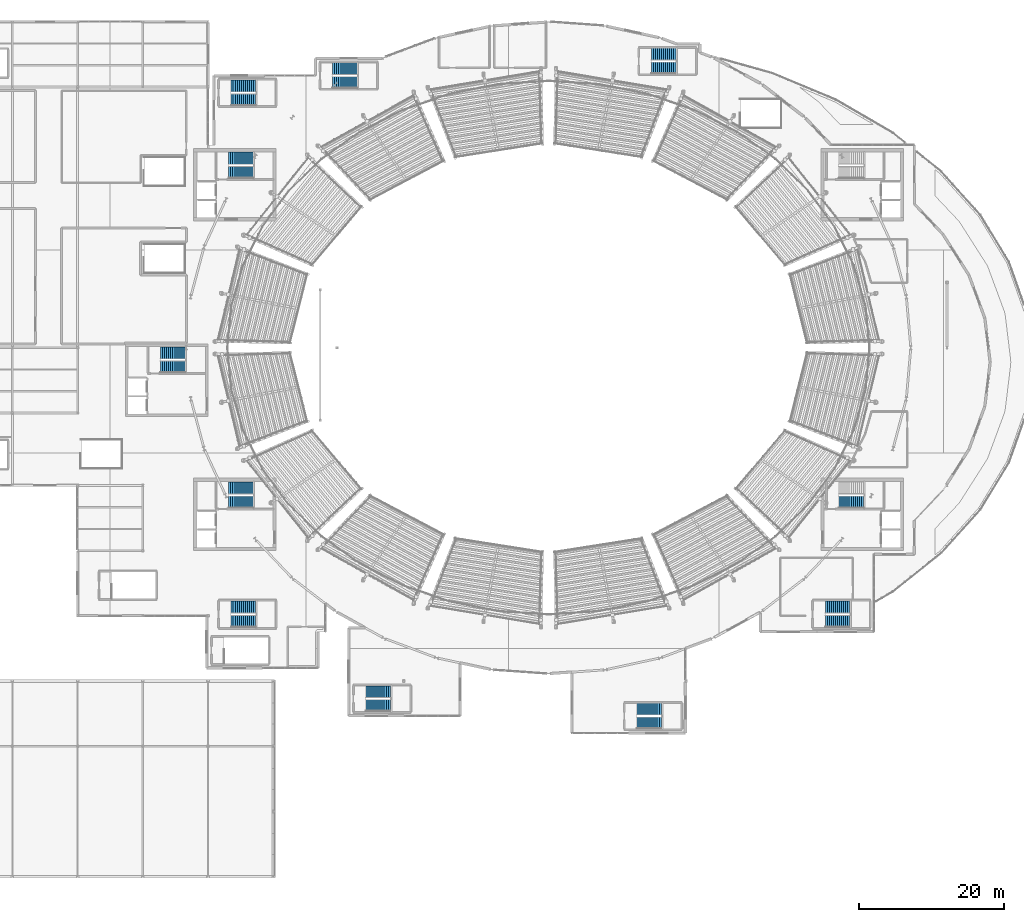
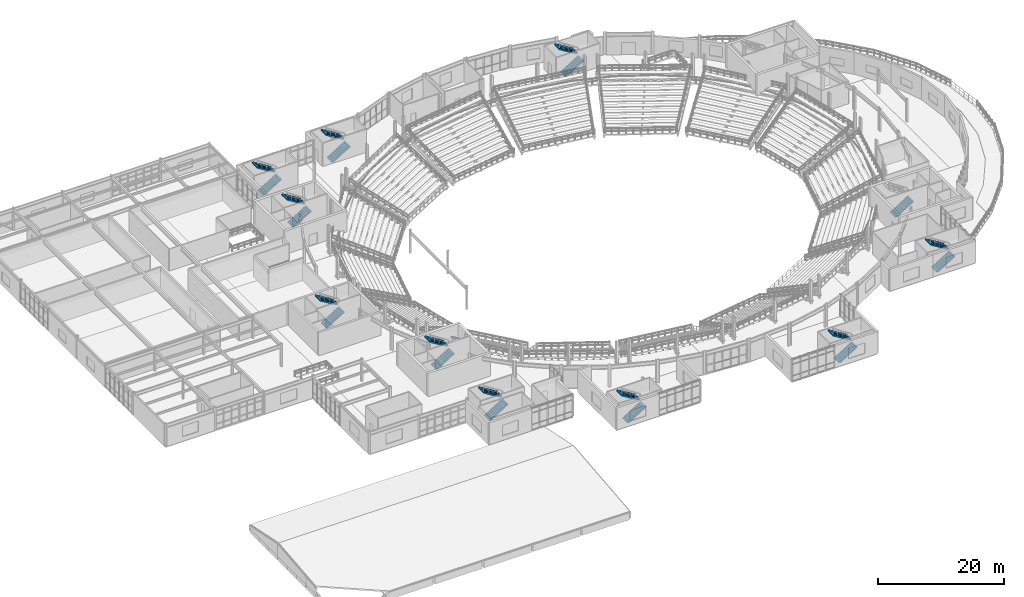
# One storey, part 61 of 81: 21 stair flights, 11 elements without a shape of their own.
"""IFC4 building model written with IfcOpenShell, lengths in metres."""

from ifc_helpers import new_model, si_unit, direction, frame, origin, place, context, subcontext, project, spatial, polyline, outline, extrude, material, type_object, element, aggregate, save


model = new_model("IFC4")

# Units and contexts
model_context = context("Model", 3, precision=1e-05, world=origin(), true_north=direction((0.0, 1.0)))
body_context = subcontext(model_context, "Body", "Model", "MODEL_VIEW")
ifc_project = project(units=[si_unit("LENGTHUNIT", "METRE"), si_unit("AREAUNIT", "SQUARE_METRE"), si_unit("VOLUMEUNIT", "CUBIC_METRE"), si_unit("PLANEANGLEUNIT", "RADIAN"), si_unit("MASSUNIT", "GRAM", prefix="KILO")], contexts=[model_context])

# Site, building, storey
site_placement = place(None, origin())
site = spatial("IfcSite", under=ifc_project, at=site_placement, CompositionType="ELEMENT")
building_placement = place(site_placement, origin())
building = spatial("IfcBuilding", under=site, at=building_placement, Name="Glasvene Arena", CompositionType="ELEMENT")
storey_placement = place(building_placement, frame((0.0, 0.0, 15.0)))
storey = spatial("IfcBuildingStorey", under=building, at=storey_placement, Name="L03", CompositionType="ELEMENT", Elevation=15.0)

# Stair, stair flights
ifc_material = material(Name="Concrete C40/50", Category="concrete")
stair_type_1 = type_object("IfcStairType", Name="ST-HT-450-165", PredefinedType="HALF_TURN_STAIR", material=ifc_material)
stair_1_placement = place(storey_placement, origin())
stair_1 = element("IfcStair", 1, at=stair_1_placement, inside=storey, type_object=stair_type_1, Name="Protected escape stair ST-07 (L03 to L04)", PredefinedType="HALF_TURN_STAIR")
stair_flight_type_1 = type_object("IfcStairFlightType", Name="SF-HT-450-165", PredefinedType="STRAIGHT", material=ifc_material)
stair_flight_1_placement = place(storey_placement, frame((38.449951171875, 70.375, 0.0), z_axis=(0.0, 0.0, 1.0), x_axis=(1.0, 0.0, 0.0)))
stair_flight_1 = element("IfcStairFlight", 2, at=stair_flight_1_placement, type_object=stair_flight_type_1, Name="Protected escape stair ST-07 (L03 to L04) flight 1", NumberOfRisers=13, NumberOfTreads=12, PredefinedType="STRAIGHT", RiserHeight=0.173077, TreadLength=0.28, context=body_context, shape_type="SweptSolid", body=[
    extrude(outline(polyline([(0.0, 0.0), (0.0, 0.173095703125), (0.280029296875, 0.173095703125), (0.280029296875, 0.34619140625), (0.56005859375, 0.34619140625), (0.56005859375, 0.519287109375), (0.840087890625, 0.519287109375), (0.840087890625, 0.6923828125), (1.1201171875, 0.6923828125), (1.1201171875, 0.865478515625), (1.39990234375, 0.865478515625), (1.39990234375, 1.03857421875), (1.679931640625, 1.03857421875), (1.679931640625, 1.21142578125), (1.9599609375, 1.21142578125), (1.9599609375, 1.384521484375), (2.239990234375, 1.384521484375), (2.239990234375, 1.5576171875), (2.52001953125, 1.5576171875), (2.52001953125, 1.730712890625), (2.800048828125, 1.730712890625), (2.800048828125, 1.90380859375), (3.080078125, 1.90380859375), (3.080078125, 2.076904296875), (3.360107421875, 2.076904296875), (3.360107421875, 2.25), (3.360107421875, 1.841796875), (0.38037109375, 0.0), (0.0, 0.0)])), frame((0.0, 0.824951171875, 0.0), z_axis=(0.0, -1.0, 0.0), x_axis=(1.0, 0.0, 0.0)), (0.0, 0.0, 1.0), 1.64990234375),
])
stair_flight_2_placement = place(storey_placement, frame((41.81005859375, 72.27490234375, 2.25), z_axis=(0.0, 0.0, 1.0), x_axis=(-1.0, 0.0, 0.0)))
stair_flight_2 = element("IfcStairFlight", 3, at=stair_flight_2_placement, type_object=stair_flight_type_1, Name="Protected escape stair ST-07 (L03 to L04) flight 2", NumberOfRisers=13, NumberOfTreads=12, PredefinedType="STRAIGHT", RiserHeight=0.173077, TreadLength=0.28, context=body_context, shape_type="SweptSolid", body=[
    extrude(outline(polyline([(0.0, 0.0), (0.0, 0.173095703125), (0.280029296875, 0.173095703125), (0.280029296875, 0.34619140625), (0.56005859375, 0.34619140625), (0.56005859375, 0.519287109375), (0.840087890625, 0.519287109375), (0.840087890625, 0.6923828125), (1.1201171875, 0.6923828125), (1.1201171875, 0.865478515625), (1.39990234375, 0.865478515625), (1.39990234375, 1.03857421875), (1.679931640625, 1.03857421875), (1.679931640625, 1.21142578125), (1.9599609375, 1.21142578125), (1.9599609375, 1.384521484375), (2.239990234375, 1.384521484375), (2.239990234375, 1.5576171875), (2.52001953125, 1.5576171875), (2.52001953125, 1.730712890625), (2.800048828125, 1.730712890625), (2.800048828125, 1.90380859375), (3.080078125, 1.90380859375), (3.080078125, 2.076904296875), (3.360107421875, 2.076904296875), (3.360107421875, 2.25), (3.360107421875, 1.841796875), (0.38037109375, 0.0), (0.0, 0.0)])), frame((0.0, 0.824951171875, 0.0), z_axis=(0.0, -1.0, 0.0), x_axis=(1.0, 0.0, 0.0)), (0.0, 0.0, 1.0), 1.64990234375),
])
aggregate(stair_1, [stair_flight_1, stair_flight_2])

stair_2_placement = place(storey_placement, origin())
stair_2 = element("IfcStair", 4, at=stair_2_placement, inside=storey, type_object=stair_type_1, Name="Protected escape stair ST-08 (L03 to L04)", PredefinedType="HALF_TURN_STAIR")
stair_flight_3_placement = place(storey_placement, frame((66.800048828125, 23.625, 0.0), z_axis=(0.0, 0.0, 1.0), x_axis=(1.0, 0.0, 0.0)))
stair_flight_3 = element("IfcStairFlight", 5, at=stair_flight_3_placement, type_object=stair_flight_type_1, Name="Protected escape stair ST-08 (L03 to L04) flight 1", NumberOfRisers=13, NumberOfTreads=12, PredefinedType="STRAIGHT", RiserHeight=0.173077, TreadLength=0.28, context=body_context, shape_type="SweptSolid", body=[
    extrude(outline(polyline([(0.0, 0.0), (0.0, 0.173095703125), (0.280029296875, 0.173095703125), (0.280029296875, 0.34619140625), (0.56005859375, 0.34619140625), (0.56005859375, 0.519287109375), (0.840087890625, 0.519287109375), (0.840087890625, 0.6923828125), (1.1201171875, 0.6923828125), (1.1201171875, 0.865478515625), (1.39990234375, 0.865478515625), (1.39990234375, 1.03857421875), (1.679931640625, 1.03857421875), (1.679931640625, 1.21142578125), (1.9599609375, 1.21142578125), (1.9599609375, 1.384521484375), (2.239990234375, 1.384521484375), (2.239990234375, 1.5576171875), (2.52001953125, 1.5576171875), (2.52001953125, 1.730712890625), (2.800048828125, 1.730712890625), (2.800048828125, 1.90380859375), (3.080078125, 1.90380859375), (3.080078125, 2.076904296875), (3.360107421875, 2.076904296875), (3.360107421875, 2.25), (3.360107421875, 1.841796875), (0.38037109375, 0.0), (0.0, 0.0)])), frame((0.0, 0.824951171875, 0.0), z_axis=(0.0, -1.0, 0.0), x_axis=(1.0, 0.0, 0.0)), (0.0, 0.0, 1.0), 1.64990234375),
])
stair_flight_4_placement = place(storey_placement, frame((70.159912109375, 25.52490234375, 2.25), z_axis=(0.0, 0.0, 1.0), x_axis=(-1.0, 0.0, 0.0)))
stair_flight_4 = element("IfcStairFlight", 6, at=stair_flight_4_placement, type_object=stair_flight_type_1, Name="Protected escape stair ST-08 (L03 to L04) flight 2", NumberOfRisers=13, NumberOfTreads=12, PredefinedType="STRAIGHT", RiserHeight=0.173077, TreadLength=0.28, context=body_context, shape_type="SweptSolid", body=[
    extrude(outline(polyline([(0.0, 0.0), (0.0, 0.173095703125), (0.280029296875, 0.173095703125), (0.280029296875, 0.34619140625), (0.56005859375, 0.34619140625), (0.56005859375, 0.519287109375), (0.840087890625, 0.519287109375), (0.840087890625, 0.6923828125), (1.1201171875, 0.6923828125), (1.1201171875, 0.865478515625), (1.39990234375, 0.865478515625), (1.39990234375, 1.03857421875), (1.679931640625, 1.03857421875), (1.679931640625, 1.21142578125), (1.9599609375, 1.21142578125), (1.9599609375, 1.384521484375), (2.239990234375, 1.384521484375), (2.239990234375, 1.5576171875), (2.52001953125, 1.5576171875), (2.52001953125, 1.730712890625), (2.800048828125, 1.730712890625), (2.800048828125, 1.90380859375), (3.080078125, 1.90380859375), (3.080078125, 2.076904296875), (3.360107421875, 2.076904296875), (3.360107421875, 2.25), (3.360107421875, 1.841796875), (0.38037109375, 0.0), (0.0, 0.0)])), frame((0.0, 0.824951171875, 0.0), z_axis=(0.0, -1.0, 0.0), x_axis=(1.0, 0.0, 0.0)), (0.0, 0.0, 1.0), 1.64990234375),
])
aggregate(stair_2, [stair_flight_3, stair_flight_4])

stair_3_placement = place(storey_placement, origin())
stair_3 = element("IfcStair", 7, at=stair_3_placement, inside=storey, type_object=stair_type_1, Name="Protected escape stair ST-09 (L03 to L04)", PredefinedType="HALF_TURN_STAIR")
stair_flight_5_placement = place(storey_placement, frame((104.199951171875, 21.22509765625, 0.0), z_axis=(0.0, 0.0, 1.0), x_axis=(1.0, 0.0, 0.0)))
stair_flight_5 = element("IfcStairFlight", 8, at=stair_flight_5_placement, type_object=stair_flight_type_1, Name="Protected escape stair ST-09 (L03 to L04) flight 1", NumberOfRisers=13, NumberOfTreads=12, PredefinedType="STRAIGHT", RiserHeight=0.173077, TreadLength=0.28, context=body_context, shape_type="SweptSolid", body=[
    extrude(outline(polyline([(0.0, 0.0), (0.0, 0.173095703125), (0.280029296875, 0.173095703125), (0.280029296875, 0.34619140625), (0.56005859375, 0.34619140625), (0.56005859375, 0.519287109375), (0.840087890625, 0.519287109375), (0.840087890625, 0.6923828125), (1.1201171875, 0.6923828125), (1.1201171875, 0.865478515625), (1.39990234375, 0.865478515625), (1.39990234375, 1.03857421875), (1.679931640625, 1.03857421875), (1.679931640625, 1.21142578125), (1.9599609375, 1.21142578125), (1.9599609375, 1.384521484375), (2.239990234375, 1.384521484375), (2.239990234375, 1.5576171875), (2.52001953125, 1.5576171875), (2.52001953125, 1.730712890625), (2.800048828125, 1.730712890625), (2.800048828125, 1.90380859375), (3.080078125, 1.90380859375), (3.080078125, 2.076904296875), (3.360107421875, 2.076904296875), (3.360107421875, 2.25), (3.360107421875, 1.841796875), (0.38037109375, 0.0), (0.0, 0.0)])), frame((0.0, 0.824951171875, 0.0), z_axis=(0.0, -1.0, 0.0), x_axis=(1.0, 0.0, 0.0)), (0.0, 0.0, 1.0), 1.64990234375),
])
stair_flight_6_placement = place(storey_placement, frame((107.56005859375, 23.125, 2.25), z_axis=(0.0, 0.0, 1.0), x_axis=(-1.0, 0.0, 0.0)))
stair_flight_6 = element("IfcStairFlight", 9, at=stair_flight_6_placement, type_object=stair_flight_type_1, Name="Protected escape stair ST-09 (L03 to L04) flight 2", NumberOfRisers=13, NumberOfTreads=12, PredefinedType="STRAIGHT", RiserHeight=0.173077, TreadLength=0.28, context=body_context, shape_type="SweptSolid", body=[
    extrude(outline(polyline([(0.0, 0.0), (0.0, 0.173095703125), (0.280029296875, 0.173095703125), (0.280029296875, 0.34619140625), (0.56005859375, 0.34619140625), (0.56005859375, 0.519287109375), (0.840087890625, 0.519287109375), (0.840087890625, 0.6923828125), (1.1201171875, 0.6923828125), (1.1201171875, 0.865478515625), (1.39990234375, 0.865478515625), (1.39990234375, 1.03857421875), (1.679931640625, 1.03857421875), (1.679931640625, 1.21142578125), (1.9599609375, 1.21142578125), (1.9599609375, 1.384521484375), (2.239990234375, 1.384521484375), (2.239990234375, 1.5576171875), (2.52001953125, 1.5576171875), (2.52001953125, 1.730712890625), (2.800048828125, 1.730712890625), (2.800048828125, 1.90380859375), (3.080078125, 1.90380859375), (3.080078125, 2.076904296875), (3.360107421875, 2.076904296875), (3.360107421875, 2.25), (3.360107421875, 1.841796875), (0.38037109375, 0.0), (0.0, 0.0)])), frame((0.0, 0.824951171875, 0.0), z_axis=(0.0, -1.0, 0.0), x_axis=(1.0, 0.0, 0.0)), (0.0, 0.0, 1.0), 1.64990234375),
])
aggregate(stair_3, [stair_flight_5, stair_flight_6])

stair_4_placement = place(storey_placement, origin())
stair_4 = element("IfcStair", 10, at=stair_4_placement, inside=storey, type_object=stair_type_1, Name="Protected escape stair ST-10 (L03 to L04)", PredefinedType="HALF_TURN_STAIR")
stair_flight_7_placement = place(storey_placement, frame((62.199951171875, 109.625, 0.0), z_axis=(0.0, 0.0, 1.0), x_axis=(1.0, 0.0, 0.0)))
stair_flight_7 = element("IfcStairFlight", 11, at=stair_flight_7_placement, type_object=stair_flight_type_1, Name="Protected escape stair ST-10 (L03 to L04) flight 1", NumberOfRisers=13, NumberOfTreads=12, PredefinedType="STRAIGHT", RiserHeight=0.173077, TreadLength=0.28, context=body_context, shape_type="SweptSolid", body=[
    extrude(outline(polyline([(0.0, 0.0), (0.0, 0.173095703125), (0.280029296875, 0.173095703125), (0.280029296875, 0.34619140625), (0.56005859375, 0.34619140625), (0.56005859375, 0.519287109375), (0.840087890625, 0.519287109375), (0.840087890625, 0.6923828125), (1.1201171875, 0.6923828125), (1.1201171875, 0.865478515625), (1.39990234375, 0.865478515625), (1.39990234375, 1.03857421875), (1.679931640625, 1.03857421875), (1.679931640625, 1.21142578125), (1.9599609375, 1.21142578125), (1.9599609375, 1.384521484375), (2.239990234375, 1.384521484375), (2.239990234375, 1.5576171875), (2.52001953125, 1.5576171875), (2.52001953125, 1.730712890625), (2.800048828125, 1.730712890625), (2.800048828125, 1.90380859375), (3.080078125, 1.90380859375), (3.080078125, 2.076904296875), (3.360107421875, 2.076904296875), (3.360107421875, 2.25), (3.360107421875, 1.841796875), (0.38037109375, 0.0), (0.0, 0.0)])), frame((0.0, 0.824951171875, 0.0), z_axis=(0.0, -1.0, 0.0), x_axis=(1.0, 0.0, 0.0)), (0.0, 0.0, 1.0), 1.64990234375),
])
stair_flight_8_placement = place(storey_placement, frame((65.56005859375, 111.52490234375, 2.25), z_axis=(0.0, 0.0, 1.0), x_axis=(-1.0, 0.0, 0.0)))
stair_flight_8 = element("IfcStairFlight", 12, at=stair_flight_8_placement, type_object=stair_flight_type_1, Name="Protected escape stair ST-10 (L03 to L04) flight 2", NumberOfRisers=13, NumberOfTreads=12, PredefinedType="STRAIGHT", RiserHeight=0.173077, TreadLength=0.28, context=body_context, shape_type="SweptSolid", body=[
    extrude(outline(polyline([(0.0, 0.0), (0.0, 0.173095703125), (0.280029296875, 0.173095703125), (0.280029296875, 0.34619140625), (0.56005859375, 0.34619140625), (0.56005859375, 0.519287109375), (0.840087890625, 0.519287109375), (0.840087890625, 0.6923828125), (1.1201171875, 0.6923828125), (1.1201171875, 0.865478515625), (1.39990234375, 0.865478515625), (1.39990234375, 1.03857421875), (1.679931640625, 1.03857421875), (1.679931640625, 1.21142578125), (1.9599609375, 1.21142578125), (1.9599609375, 1.384521484375), (2.239990234375, 1.384521484375), (2.239990234375, 1.5576171875), (2.52001953125, 1.5576171875), (2.52001953125, 1.730712890625), (2.800048828125, 1.730712890625), (2.800048828125, 1.90380859375), (3.080078125, 1.90380859375), (3.080078125, 2.076904296875), (3.360107421875, 2.076904296875), (3.360107421875, 2.25), (3.360107421875, 1.841796875), (0.38037109375, 0.0), (0.0, 0.0)])), frame((0.0, 0.824951171875, 0.0), z_axis=(0.0, -1.0, 0.0), x_axis=(1.0, 0.0, 0.0)), (0.0, 0.0, 1.0), 1.64990234375),
])
aggregate(stair_4, [stair_flight_7, stair_flight_8])

stair_5_placement = place(storey_placement, origin())
stair_5 = element("IfcStair", 13, at=stair_5_placement, inside=storey, type_object=stair_type_1, Name="Protected escape stair ST-11 (L03 to L04)", PredefinedType="HALF_TURN_STAIR")
stair_flight_9_placement = place(storey_placement, frame((106.199951171875, 111.625, 0.0), z_axis=(0.0, 0.0, 1.0), x_axis=(1.0, 0.0, 0.0)))
stair_flight_9 = element("IfcStairFlight", 14, at=stair_flight_9_placement, type_object=stair_flight_type_1, Name="Protected escape stair ST-11 (L03 to L04) flight 1", NumberOfRisers=13, NumberOfTreads=12, PredefinedType="STRAIGHT", RiserHeight=0.173077, TreadLength=0.28, context=body_context, shape_type="SweptSolid", body=[
    extrude(outline(polyline([(0.0, 0.0), (0.0, 0.173095703125), (0.280029296875, 0.173095703125), (0.280029296875, 0.34619140625), (0.56005859375, 0.34619140625), (0.56005859375, 0.519287109375), (0.840087890625, 0.519287109375), (0.840087890625, 0.6923828125), (1.1201171875, 0.6923828125), (1.1201171875, 0.865478515625), (1.39990234375, 0.865478515625), (1.39990234375, 1.03857421875), (1.679931640625, 1.03857421875), (1.679931640625, 1.21142578125), (1.9599609375, 1.21142578125), (1.9599609375, 1.384521484375), (2.239990234375, 1.384521484375), (2.239990234375, 1.5576171875), (2.52001953125, 1.5576171875), (2.52001953125, 1.730712890625), (2.800048828125, 1.730712890625), (2.800048828125, 1.90380859375), (3.080078125, 1.90380859375), (3.080078125, 2.076904296875), (3.360107421875, 2.076904296875), (3.360107421875, 2.25), (3.360107421875, 1.841796875), (0.38037109375, 0.0), (0.0, 0.0)])), frame((0.0, 0.824951171875, 0.0), z_axis=(0.0, -1.0, 0.0), x_axis=(1.0, 0.0, 0.0)), (0.0, 0.0, 1.0), 1.64990234375),
])
stair_flight_10_placement = place(storey_placement, frame((109.56005859375, 113.52490234375, 2.25), z_axis=(0.0, 0.0, 1.0), x_axis=(-1.0, 0.0, 0.0)))
stair_flight_10 = element("IfcStairFlight", 15, at=stair_flight_10_placement, type_object=stair_flight_type_1, Name="Protected escape stair ST-11 (L03 to L04) flight 2", NumberOfRisers=13, NumberOfTreads=12, PredefinedType="STRAIGHT", RiserHeight=0.173077, TreadLength=0.28, context=body_context, shape_type="SweptSolid", body=[
    extrude(outline(polyline([(0.0, 0.0), (0.0, 0.173095703125), (0.280029296875, 0.173095703125), (0.280029296875, 0.34619140625), (0.56005859375, 0.34619140625), (0.56005859375, 0.519287109375), (0.840087890625, 0.519287109375), (0.840087890625, 0.6923828125), (1.1201171875, 0.6923828125), (1.1201171875, 0.865478515625), (1.39990234375, 0.865478515625), (1.39990234375, 1.03857421875), (1.679931640625, 1.03857421875), (1.679931640625, 1.21142578125), (1.9599609375, 1.21142578125), (1.9599609375, 1.384521484375), (2.239990234375, 1.384521484375), (2.239990234375, 1.5576171875), (2.52001953125, 1.5576171875), (2.52001953125, 1.730712890625), (2.800048828125, 1.730712890625), (2.800048828125, 1.90380859375), (3.080078125, 1.90380859375), (3.080078125, 2.076904296875), (3.360107421875, 2.076904296875), (3.360107421875, 2.25), (3.360107421875, 1.841796875), (0.38037109375, 0.0), (0.0, 0.0)])), frame((0.0, 0.824951171875, 0.0), z_axis=(0.0, -1.0, 0.0), x_axis=(1.0, 0.0, 0.0)), (0.0, 0.0, 1.0), 1.64990234375),
])
aggregate(stair_5, [stair_flight_9, stair_flight_10])

stair_6_placement = place(storey_placement, origin())
stair_6 = element("IfcStair", 16, at=stair_6_placement, inside=storey, type_object=stair_type_1, Name="Protected escape stair ST-12 (L03 to L04)", PredefinedType="HALF_TURN_STAIR")
stair_flight_11_placement = place(storey_placement, frame((48.199951171875, 107.22509765625, 0.0), z_axis=(0.0, 0.0, 1.0), x_axis=(1.0, 0.0, 0.0)))
stair_flight_11 = element("IfcStairFlight", 17, at=stair_flight_11_placement, type_object=stair_flight_type_1, Name="Protected escape stair ST-12 (L03 to L04) flight 1", NumberOfRisers=13, NumberOfTreads=12, PredefinedType="STRAIGHT", RiserHeight=0.173077, TreadLength=0.28, context=body_context, shape_type="SweptSolid", body=[
    extrude(outline(polyline([(0.0, 0.0), (0.0, 0.173095703125), (0.280029296875, 0.173095703125), (0.280029296875, 0.34619140625), (0.56005859375, 0.34619140625), (0.56005859375, 0.519287109375), (0.840087890625, 0.519287109375), (0.840087890625, 0.6923828125), (1.1201171875, 0.6923828125), (1.1201171875, 0.865478515625), (1.39990234375, 0.865478515625), (1.39990234375, 1.03857421875), (1.679931640625, 1.03857421875), (1.679931640625, 1.21142578125), (1.9599609375, 1.21142578125), (1.9599609375, 1.384521484375), (2.239990234375, 1.384521484375), (2.239990234375, 1.5576171875), (2.52001953125, 1.5576171875), (2.52001953125, 1.730712890625), (2.800048828125, 1.730712890625), (2.800048828125, 1.90380859375), (3.080078125, 1.90380859375), (3.080078125, 2.076904296875), (3.360107421875, 2.076904296875), (3.360107421875, 2.25), (3.360107421875, 1.841796875), (0.38037109375, 0.0), (0.0, 0.0)])), frame((0.0, 0.824951171875, 0.0), z_axis=(0.0, -1.0, 0.0), x_axis=(1.0, 0.0, 0.0)), (0.0, 0.0, 1.0), 1.64990234375),
])
stair_flight_12_placement = place(storey_placement, frame((51.56005859375, 109.125, 2.25), z_axis=(0.0, 0.0, 1.0), x_axis=(-1.0, 0.0, 0.0)))
stair_flight_12 = element("IfcStairFlight", 18, at=stair_flight_12_placement, type_object=stair_flight_type_1, Name="Protected escape stair ST-12 (L03 to L04) flight 2", NumberOfRisers=13, NumberOfTreads=12, PredefinedType="STRAIGHT", RiserHeight=0.173077, TreadLength=0.28, context=body_context, shape_type="SweptSolid", body=[
    extrude(outline(polyline([(0.0, 0.0), (0.0, 0.173095703125), (0.280029296875, 0.173095703125), (0.280029296875, 0.34619140625), (0.56005859375, 0.34619140625), (0.56005859375, 0.519287109375), (0.840087890625, 0.519287109375), (0.840087890625, 0.6923828125), (1.1201171875, 0.6923828125), (1.1201171875, 0.865478515625), (1.39990234375, 0.865478515625), (1.39990234375, 1.03857421875), (1.679931640625, 1.03857421875), (1.679931640625, 1.21142578125), (1.9599609375, 1.21142578125), (1.9599609375, 1.384521484375), (2.239990234375, 1.384521484375), (2.239990234375, 1.5576171875), (2.52001953125, 1.5576171875), (2.52001953125, 1.730712890625), (2.800048828125, 1.730712890625), (2.800048828125, 1.90380859375), (3.080078125, 1.90380859375), (3.080078125, 2.076904296875), (3.360107421875, 2.076904296875), (3.360107421875, 2.25), (3.360107421875, 1.841796875), (0.38037109375, 0.0), (0.0, 0.0)])), frame((0.0, 0.824951171875, 0.0), z_axis=(0.0, -1.0, 0.0), x_axis=(1.0, 0.0, 0.0)), (0.0, 0.0, 1.0), 1.64990234375),
])
aggregate(stair_6, [stair_flight_11, stair_flight_12])

stair_type_2 = type_object("IfcStairType", Name="ST-HT-450-170", PredefinedType="HALF_TURN_STAIR", material=ifc_material)
stair_7_placement = place(storey_placement, origin())
stair_7 = element("IfcStair", 19, at=stair_7_placement, inside=storey, type_object=stair_type_2, Name="Protected escape stair ST-01 (L03 to L04)", PredefinedType="HALF_TURN_STAIR")
stair_flight_type_2 = type_object("IfcStairFlightType", Name="SF-HT-450-170", PredefinedType="STRAIGHT", material=ifc_material)
stair_flight_13_placement = place(storey_placement, frame((47.85009765625, 97.199951171875, 0.0), z_axis=(0.0, 0.0, 1.0), x_axis=(1.0, 0.0, 0.0)))
stair_flight_13 = element("IfcStairFlight", 20, at=stair_flight_13_placement, type_object=stair_flight_type_2, Name="Protected escape stair ST-01 (L03 to L04) flight 1", NumberOfRisers=13, NumberOfTreads=12, PredefinedType="STRAIGHT", RiserHeight=0.173077, TreadLength=0.28, context=body_context, shape_type="SweptSolid", body=[
    extrude(outline(polyline([(0.0, 0.0), (0.0, 0.173095703125), (0.280029296875, 0.173095703125), (0.280029296875, 0.34619140625), (0.56005859375, 0.34619140625), (0.56005859375, 0.519287109375), (0.840087890625, 0.519287109375), (0.840087890625, 0.6923828125), (1.1201171875, 0.6923828125), (1.1201171875, 0.865478515625), (1.39990234375, 0.865478515625), (1.39990234375, 1.03857421875), (1.679931640625, 1.03857421875), (1.679931640625, 1.21142578125), (1.9599609375, 1.21142578125), (1.9599609375, 1.384521484375), (2.239990234375, 1.384521484375), (2.239990234375, 1.5576171875), (2.52001953125, 1.5576171875), (2.52001953125, 1.730712890625), (2.800048828125, 1.730712890625), (2.800048828125, 1.90380859375), (3.080078125, 1.90380859375), (3.080078125, 2.076904296875), (3.360107421875, 2.076904296875), (3.360107421875, 2.25), (3.360107421875, 1.841796875), (0.38037109375, 0.0), (0.0, 0.0)])), frame((0.0, 0.85009765625, 0.0), z_axis=(0.0, -1.0, 0.0), x_axis=(1.0, 0.0, 0.0)), (0.0, 0.0, 1.0), 1.699951171875),
])
stair_flight_14_placement = place(storey_placement, frame((51.2099609375, 99.14990234375, 2.25), z_axis=(0.0, 0.0, 1.0), x_axis=(-1.0, 0.0, 0.0)))
stair_flight_14 = element("IfcStairFlight", 21, at=stair_flight_14_placement, type_object=stair_flight_type_2, Name="Protected escape stair ST-01 (L03 to L04) flight 2", NumberOfRisers=13, NumberOfTreads=12, PredefinedType="STRAIGHT", RiserHeight=0.173077, TreadLength=0.28, context=body_context, shape_type="SweptSolid", body=[
    extrude(outline(polyline([(0.0, 0.0), (0.0, 0.173095703125), (0.280029296875, 0.173095703125), (0.280029296875, 0.34619140625), (0.56005859375, 0.34619140625), (0.56005859375, 0.519287109375), (0.840087890625, 0.519287109375), (0.840087890625, 0.6923828125), (1.1201171875, 0.6923828125), (1.1201171875, 0.865478515625), (1.39990234375, 0.865478515625), (1.39990234375, 1.03857421875), (1.679931640625, 1.03857421875), (1.679931640625, 1.21142578125), (1.9599609375, 1.21142578125), (1.9599609375, 1.384521484375), (2.239990234375, 1.384521484375), (2.239990234375, 1.5576171875), (2.52001953125, 1.5576171875), (2.52001953125, 1.730712890625), (2.800048828125, 1.730712890625), (2.800048828125, 1.90380859375), (3.080078125, 1.90380859375), (3.080078125, 2.076904296875), (3.360107421875, 2.076904296875), (3.360107421875, 2.25), (3.360107421875, 1.841796875), (0.38037109375, 0.0), (0.0, 0.0)])), frame((0.0, 0.85009765625, 0.0), z_axis=(0.0, -1.0, 0.0), x_axis=(1.0, 0.0, 0.0)), (0.0, 0.0, 1.0), 1.699951171875),
])
aggregate(stair_7, [stair_flight_13, stair_flight_14])

stair_8_placement = place(storey_placement, origin())
stair_8 = element("IfcStair", 22, at=stair_8_placement, inside=storey, type_object=stair_type_2, Name="Protected escape stair ST-03 (L03 to L04)", PredefinedType="HALF_TURN_STAIR")
stair_flight_15_placement = place(storey_placement, frame((47.85009765625, 51.699951171875, 0.0), z_axis=(0.0, 0.0, 1.0), x_axis=(1.0, 0.0, 0.0)))
stair_flight_15 = element("IfcStairFlight", 23, at=stair_flight_15_placement, type_object=stair_flight_type_2, Name="Protected escape stair ST-03 (L03 to L04) flight 1", NumberOfRisers=13, NumberOfTreads=12, PredefinedType="STRAIGHT", RiserHeight=0.173077, TreadLength=0.28, context=body_context, shape_type="SweptSolid", body=[
    extrude(outline(polyline([(0.0, 0.0), (0.0, 0.173095703125), (0.280029296875, 0.173095703125), (0.280029296875, 0.34619140625), (0.56005859375, 0.34619140625), (0.56005859375, 0.519287109375), (0.840087890625, 0.519287109375), (0.840087890625, 0.6923828125), (1.1201171875, 0.6923828125), (1.1201171875, 0.865478515625), (1.39990234375, 0.865478515625), (1.39990234375, 1.03857421875), (1.679931640625, 1.03857421875), (1.679931640625, 1.21142578125), (1.9599609375, 1.21142578125), (1.9599609375, 1.384521484375), (2.239990234375, 1.384521484375), (2.239990234375, 1.5576171875), (2.52001953125, 1.5576171875), (2.52001953125, 1.730712890625), (2.800048828125, 1.730712890625), (2.800048828125, 1.90380859375), (3.080078125, 1.90380859375), (3.080078125, 2.076904296875), (3.360107421875, 2.076904296875), (3.360107421875, 2.25), (3.360107421875, 1.841796875), (0.38037109375, 0.0), (0.0, 0.0)])), frame((0.0, 0.85009765625, 0.0), z_axis=(0.0, -1.0, 0.0), x_axis=(1.0, 0.0, 0.0)), (0.0, 0.0, 1.0), 1.699951171875),
])
stair_flight_16_placement = place(storey_placement, frame((51.2099609375, 53.64990234375, 2.25), z_axis=(0.0, 0.0, 1.0), x_axis=(-1.0, 0.0, 0.0)))
stair_flight_16 = element("IfcStairFlight", 24, at=stair_flight_16_placement, type_object=stair_flight_type_2, Name="Protected escape stair ST-03 (L03 to L04) flight 2", NumberOfRisers=13, NumberOfTreads=12, PredefinedType="STRAIGHT", RiserHeight=0.173077, TreadLength=0.28, context=body_context, shape_type="SweptSolid", body=[
    extrude(outline(polyline([(0.0, 0.0), (0.0, 0.173095703125), (0.280029296875, 0.173095703125), (0.280029296875, 0.34619140625), (0.56005859375, 0.34619140625), (0.56005859375, 0.519287109375), (0.840087890625, 0.519287109375), (0.840087890625, 0.6923828125), (1.1201171875, 0.6923828125), (1.1201171875, 0.865478515625), (1.39990234375, 0.865478515625), (1.39990234375, 1.03857421875), (1.679931640625, 1.03857421875), (1.679931640625, 1.21142578125), (1.9599609375, 1.21142578125), (1.9599609375, 1.384521484375), (2.239990234375, 1.384521484375), (2.239990234375, 1.5576171875), (2.52001953125, 1.5576171875), (2.52001953125, 1.730712890625), (2.800048828125, 1.730712890625), (2.800048828125, 1.90380859375), (3.080078125, 1.90380859375), (3.080078125, 2.076904296875), (3.360107421875, 2.076904296875), (3.360107421875, 2.25), (3.360107421875, 1.841796875), (0.38037109375, 0.0), (0.0, 0.0)])), frame((0.0, 0.85009765625, 0.0), z_axis=(0.0, -1.0, 0.0), x_axis=(1.0, 0.0, 0.0)), (0.0, 0.0, 1.0), 1.699951171875),
])
aggregate(stair_8, [stair_flight_15, stair_flight_16])

# Stair, stair flight
stair_9_placement = place(storey_placement, origin())
stair_9 = element("IfcStair", 25, at=stair_9_placement, inside=storey, type_object=stair_type_2, Name="Protected escape stair ST-04 (L03 to L04)", PredefinedType="HALF_TURN_STAIR")
stair_flight_17_placement = place(storey_placement, frame((132.10009765625, 51.699951171875, 0.0), z_axis=(0.0, 0.0, 1.0), x_axis=(1.0, 0.0, 0.0)))
stair_flight_17 = element("IfcStairFlight", 26, at=stair_flight_17_placement, type_object=stair_flight_type_2, Name="Protected escape stair ST-04 (L03 to L04) flight 1", NumberOfRisers=13, NumberOfTreads=12, PredefinedType="STRAIGHT", RiserHeight=0.173077, TreadLength=0.28, context=body_context, shape_type="SweptSolid", body=[
    extrude(outline(polyline([(0.0, 0.0), (0.0, 0.173095703125), (0.280029296875, 0.173095703125), (0.280029296875, 0.34619140625), (0.56005859375, 0.34619140625), (0.56005859375, 0.519287109375), (0.840087890625, 0.519287109375), (0.840087890625, 0.6923828125), (1.1201171875, 0.6923828125), (1.1201171875, 0.865478515625), (1.39990234375, 0.865478515625), (1.39990234375, 1.03857421875), (1.679931640625, 1.03857421875), (1.679931640625, 1.21142578125), (1.9599609375, 1.21142578125), (1.9599609375, 1.384521484375), (2.239990234375, 1.384521484375), (2.239990234375, 1.5576171875), (2.52001953125, 1.5576171875), (2.52001953125, 1.730712890625), (2.800048828125, 1.730712890625), (2.800048828125, 1.90380859375), (3.080078125, 1.90380859375), (3.080078125, 2.076904296875), (3.360107421875, 2.076904296875), (3.360107421875, 2.25), (3.360107421875, 1.841796875), (0.38037109375, 0.0), (0.0, 0.0)])), frame((0.0, 0.85009765625, 0.0), z_axis=(0.0, -1.0, 0.0), x_axis=(1.0, 0.0, 0.0)), (0.0, 0.0, 1.0), 1.699951171875),
])
aggregate(stair_9, [stair_flight_17])

# Stair, stair flights
stair_10_placement = place(storey_placement, origin())
stair_10 = element("IfcStair", 27, at=stair_10_placement, inside=storey, type_object=stair_type_2, Name="Protected escape stair ST-05 (L03 to L04)", PredefinedType="HALF_TURN_STAIR")
stair_flight_18_placement = place(storey_placement, frame((48.199951171875, 35.25, 0.0), z_axis=(0.0, 0.0, 1.0), x_axis=(1.0, 0.0, 0.0)))
stair_flight_18 = element("IfcStairFlight", 28, at=stair_flight_18_placement, type_object=stair_flight_type_2, Name="Protected escape stair ST-05 (L03 to L04) flight 1", NumberOfRisers=13, NumberOfTreads=12, PredefinedType="STRAIGHT", RiserHeight=0.173077, TreadLength=0.28, context=body_context, shape_type="SweptSolid", body=[
    extrude(outline(polyline([(0.0, 0.0), (0.0, 0.173095703125), (0.280029296875, 0.173095703125), (0.280029296875, 0.34619140625), (0.56005859375, 0.34619140625), (0.56005859375, 0.519287109375), (0.840087890625, 0.519287109375), (0.840087890625, 0.6923828125), (1.1201171875, 0.6923828125), (1.1201171875, 0.865478515625), (1.39990234375, 0.865478515625), (1.39990234375, 1.03857421875), (1.679931640625, 1.03857421875), (1.679931640625, 1.21142578125), (1.9599609375, 1.21142578125), (1.9599609375, 1.384521484375), (2.239990234375, 1.384521484375), (2.239990234375, 1.5576171875), (2.52001953125, 1.5576171875), (2.52001953125, 1.730712890625), (2.800048828125, 1.730712890625), (2.800048828125, 1.90380859375), (3.080078125, 1.90380859375), (3.080078125, 2.076904296875), (3.360107421875, 2.076904296875), (3.360107421875, 2.25), (3.360107421875, 1.841796875), (0.38037109375, 0.0), (0.0, 0.0)])), frame((0.0, 0.85009765625, 0.0), z_axis=(0.0, -1.0, 0.0), x_axis=(1.0, 0.0, 0.0)), (0.0, 0.0, 1.0), 1.699951171875),
])
stair_flight_19_placement = place(storey_placement, frame((51.56005859375, 37.199951171875, 2.25), z_axis=(0.0, 0.0, 1.0), x_axis=(-1.0, 0.0, 0.0)))
stair_flight_19 = element("IfcStairFlight", 29, at=stair_flight_19_placement, type_object=stair_flight_type_2, Name="Protected escape stair ST-05 (L03 to L04) flight 2", NumberOfRisers=13, NumberOfTreads=12, PredefinedType="STRAIGHT", RiserHeight=0.173077, TreadLength=0.28, context=body_context, shape_type="SweptSolid", body=[
    extrude(outline(polyline([(0.0, 0.0), (0.0, 0.173095703125), (0.280029296875, 0.173095703125), (0.280029296875, 0.34619140625), (0.56005859375, 0.34619140625), (0.56005859375, 0.519287109375), (0.840087890625, 0.519287109375), (0.840087890625, 0.6923828125), (1.1201171875, 0.6923828125), (1.1201171875, 0.865478515625), (1.39990234375, 0.865478515625), (1.39990234375, 1.03857421875), (1.679931640625, 1.03857421875), (1.679931640625, 1.21142578125), (1.9599609375, 1.21142578125), (1.9599609375, 1.384521484375), (2.239990234375, 1.384521484375), (2.239990234375, 1.5576171875), (2.52001953125, 1.5576171875), (2.52001953125, 1.730712890625), (2.800048828125, 1.730712890625), (2.800048828125, 1.90380859375), (3.080078125, 1.90380859375), (3.080078125, 2.076904296875), (3.360107421875, 2.076904296875), (3.360107421875, 2.25), (3.360107421875, 1.841796875), (0.38037109375, 0.0), (0.0, 0.0)])), frame((0.0, 0.85009765625, 0.0), z_axis=(0.0, -1.0, 0.0), x_axis=(1.0, 0.0, 0.0)), (0.0, 0.0, 1.0), 1.699951171875),
])
aggregate(stair_10, [stair_flight_18, stair_flight_19])

stair_11_placement = place(storey_placement, origin())
stair_11 = element("IfcStair", 30, at=stair_11_placement, inside=storey, type_object=stair_type_2, Name="Protected escape stair ST-06 (L03 to L04)", PredefinedType="HALF_TURN_STAIR")
stair_flight_20_placement = place(storey_placement, frame((130.199951171875, 35.25, 0.0), z_axis=(0.0, 0.0, 1.0), x_axis=(1.0, 0.0, 0.0)))
stair_flight_20 = element("IfcStairFlight", 31, at=stair_flight_20_placement, type_object=stair_flight_type_2, Name="Protected escape stair ST-06 (L03 to L04) flight 1", NumberOfRisers=13, NumberOfTreads=12, PredefinedType="STRAIGHT", RiserHeight=0.173077, TreadLength=0.28, context=body_context, shape_type="SweptSolid", body=[
    extrude(outline(polyline([(0.0, 0.0), (0.0, 0.173095703125), (0.280029296875, 0.173095703125), (0.280029296875, 0.34619140625), (0.56005859375, 0.34619140625), (0.56005859375, 0.519287109375), (0.840087890625, 0.519287109375), (0.840087890625, 0.6923828125), (1.1201171875, 0.6923828125), (1.1201171875, 0.865478515625), (1.39990234375, 0.865478515625), (1.39990234375, 1.03857421875), (1.679931640625, 1.03857421875), (1.679931640625, 1.21142578125), (1.9599609375, 1.21142578125), (1.9599609375, 1.384521484375), (2.239990234375, 1.384521484375), (2.239990234375, 1.5576171875), (2.52001953125, 1.5576171875), (2.52001953125, 1.730712890625), (2.800048828125, 1.730712890625), (2.800048828125, 1.90380859375), (3.080078125, 1.90380859375), (3.080078125, 2.076904296875), (3.360107421875, 2.076904296875), (3.360107421875, 2.25), (3.360107421875, 1.841796875), (0.38037109375, 0.0), (0.0, 0.0)])), frame((0.0, 0.85009765625, 0.0), z_axis=(0.0, -1.0, 0.0), x_axis=(1.0, 0.0, 0.0)), (0.0, 0.0, 1.0), 1.699951171875),
])
stair_flight_21_placement = place(storey_placement, frame((133.56005859375, 37.199951171875, 2.25), z_axis=(0.0, 0.0, 1.0), x_axis=(-1.0, 0.0, 0.0)))
stair_flight_21 = element("IfcStairFlight", 32, at=stair_flight_21_placement, type_object=stair_flight_type_2, Name="Protected escape stair ST-06 (L03 to L04) flight 2", NumberOfRisers=13, NumberOfTreads=12, PredefinedType="STRAIGHT", RiserHeight=0.173077, TreadLength=0.28, context=body_context, shape_type="SweptSolid", body=[
    extrude(outline(polyline([(0.0, 0.0), (0.0, 0.173095703125), (0.280029296875, 0.173095703125), (0.280029296875, 0.34619140625), (0.56005859375, 0.34619140625), (0.56005859375, 0.519287109375), (0.840087890625, 0.519287109375), (0.840087890625, 0.6923828125), (1.1201171875, 0.6923828125), (1.1201171875, 0.865478515625), (1.39990234375, 0.865478515625), (1.39990234375, 1.03857421875), (1.679931640625, 1.03857421875), (1.679931640625, 1.21142578125), (1.9599609375, 1.21142578125), (1.9599609375, 1.384521484375), (2.239990234375, 1.384521484375), (2.239990234375, 1.5576171875), (2.52001953125, 1.5576171875), (2.52001953125, 1.730712890625), (2.800048828125, 1.730712890625), (2.800048828125, 1.90380859375), (3.080078125, 1.90380859375), (3.080078125, 2.076904296875), (3.360107421875, 2.076904296875), (3.360107421875, 2.25), (3.360107421875, 1.841796875), (0.38037109375, 0.0), (0.0, 0.0)])), frame((0.0, 0.85009765625, 0.0), z_axis=(0.0, -1.0, 0.0), x_axis=(1.0, 0.0, 0.0)), (0.0, 0.0, 1.0), 1.699951171875),
])
aggregate(stair_11, [stair_flight_20, stair_flight_21])

save(model, "model.ifc")
